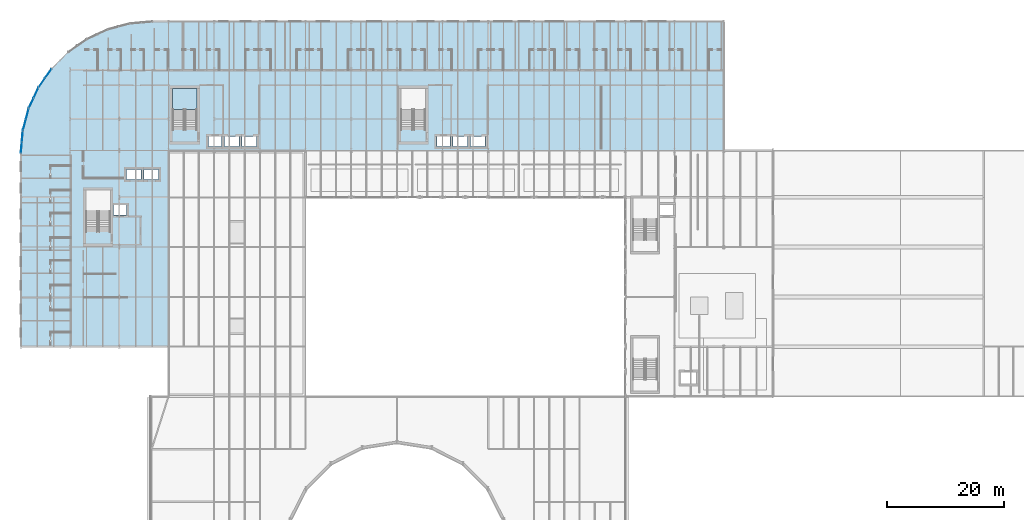
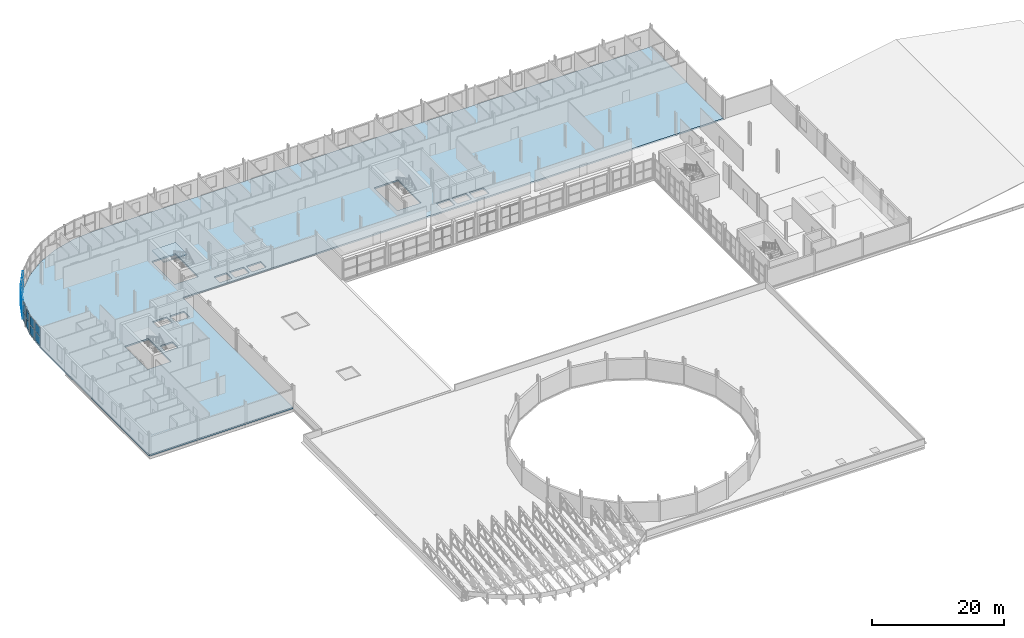
# One storey, part 32 of 58: 16 plates, 2 slabs, 5 elements without a shape of their own.
"""IFC4 building model written with IfcOpenShell, lengths in metres."""

from ifc_helpers import new_model, si_unit, direction, frame, origin, origin_2d, place, context, subcontext, project, spatial, polyline, rectangle, outline, extrude, material, layer, layer_set, type_object, element, aggregate, save


model = new_model("IFC4")

# Units and contexts
model_context = context("Model", 3, precision=1e-05, world=origin(), true_north=direction((0.0, 1.0)))
body_context = subcontext(model_context, "Body", "Model", "MODEL_VIEW")
ifc_project = project(units=[si_unit("LENGTHUNIT", "METRE"), si_unit("AREAUNIT", "SQUARE_METRE"), si_unit("VOLUMEUNIT", "CUBIC_METRE"), si_unit("PLANEANGLEUNIT", "RADIAN"), si_unit("MASSUNIT", "GRAM", prefix="KILO")], contexts=[model_context])

# Site, building, storey
site_placement = place(None, origin())
site = spatial("IfcSite", under=ifc_project, at=site_placement, CompositionType="ELEMENT")
building_placement = place(site_placement, origin())
building = spatial("IfcBuilding", under=site, at=building_placement, Name="Sefraquen Railside Congress Hotel", CompositionType="ELEMENT")
storey_placement = place(building_placement, frame((0.0, 0.0, 16.199951171875)))
storey = spatial("IfcBuildingStorey", under=building, at=storey_placement, Name="L03", CompositionType="ELEMENT", Elevation=16.199951171875)

# Curtain wall, plates
ifc_material_1 = material(Name="Thermally broken anodised aluminium and low-E double glazing", Category="aluminium")
ifc_layer_1 = layer(ifc_material_1, 0.199951171875)
ifc_layer_set_1 = layer_set([ifc_layer_1], Name="Thermally broken anodised aluminium and low-E double glazing")
curtain_wall_type_1 = type_object("IfcCurtainWallType", Name="TCW-UCW-01", PredefinedType="USERDEFINED", material=ifc_layer_set_1)
curtain_wall_1_placement = place(storey_placement, origin())
curtain_wall_1 = element("IfcCurtainWall", 1, at=curtain_wall_1_placement, inside=storey, type_object=curtain_wall_type_1, Name="Rotunda L03 curved curtain wall facet 6", ObjectType="UNITISED CURTAIN WALL", PredefinedType="USERDEFINED")
ifc_material_2 = material(Name="Solar-control low-E double glazing", Category="glass")
ifc_layer_2 = layer(ifc_material_2, 0.02392578125)
ifc_layer_set_2 = layer_set([ifc_layer_2], Name="Solar-control low-E double glazing")
plate_type_1 = type_object("IfcPlateType", Name="TP-CWP-01", PredefinedType="CURTAIN_PANEL", material=ifc_layer_set_2)
plate_1_placement = place(storey_placement, frame((4.690185546875, 109.14306640625, 0.0400390625), z_axis=(0.0, 0.0, 1.0), x_axis=(-0.573605029802, -0.819132022195, 0.0)))
plate_1 = element("IfcPlate", 2, at=plate_1_placement, type_object=plate_type_1, Name="CW-L03-ROT-06 panel 1.1", PredefinedType="CURTAIN_PANEL", context=body_context, shape_type="SweptSolid", body=[
    extrude(rectangle(XDim=1.8310546875, YDim=0.02392578125, at=origin_2d()), origin(), (0.0, 0.0, 1.0), 1.655029296875),
])
plate_2_placement = place(storey_placement, frame((3.58837890625, 107.569580078125, 0.0400390625), z_axis=(0.0, 0.0, 1.0), x_axis=(-0.573605029802, -0.819132022195, 0.0)))
plate_2 = element("IfcPlate", 3, at=plate_2_placement, type_object=plate_type_1, Name="CW-L03-ROT-06 panel 1.2", PredefinedType="CURTAIN_PANEL", context=body_context, shape_type="SweptSolid", body=[
    extrude(rectangle(XDim=1.8310546875, YDim=0.02392578125, at=origin_2d()), origin(), (0.0, 0.0, 1.0), 1.655029296875),
])

ifc_layer_3 = layer(ifc_material_1, 0.199951171875)
ifc_layer_set_3 = layer_set([ifc_layer_3], Name="Thermally broken anodised aluminium and low-E double glazing")
curtain_wall_type_2 = type_object("IfcCurtainWallType", Name="TCW-UCW-02", PredefinedType="USERDEFINED", material=ifc_layer_set_3)
curtain_wall_2_placement = place(storey_placement, origin())
curtain_wall_2 = element("IfcCurtainWall", 4, at=curtain_wall_2_placement, inside=storey, type_object=curtain_wall_type_2, Name="Rotunda L03 curved curtain wall facet 7", ObjectType="UNITISED CURTAIN WALL", PredefinedType="USERDEFINED")
plate_3_placement = place(storey_placement, frame((2.591552734375, 105.84326171875, 0.0400390625), z_axis=(0.0, 0.0, 1.0), x_axis=(-0.422634079731, -0.906300410818, 0.0)))
plate_3 = element("IfcPlate", 5, at=plate_3_placement, type_object=plate_type_1, Name="CW-L03-ROT-07 panel 1.1", PredefinedType="CURTAIN_PANEL", context=body_context, shape_type="SweptSolid", body=[
    extrude(rectangle(XDim=1.830810546875, YDim=0.02392578125, at=origin_2d()), origin(), (0.0, 0.0, 1.0), 1.655029296875),
])
plate_4_placement = place(storey_placement, frame((1.77978515625, 104.102294921875, 0.0400390625), z_axis=(0.0, 0.0, 1.0), x_axis=(-0.422634079731, -0.906300410818, 0.0)))
plate_4 = element("IfcPlate", 6, at=plate_4_placement, type_object=plate_type_1, Name="CW-L03-ROT-07 panel 1.2", PredefinedType="CURTAIN_PANEL", context=body_context, shape_type="SweptSolid", body=[
    extrude(rectangle(XDim=1.830810546875, YDim=0.02392578125, at=origin_2d()), origin(), (0.0, 0.0, 1.0), 1.655029296875),
])

ifc_layer_4 = layer(ifc_material_1, 0.199951171875)
ifc_layer_set_4 = layer_set([ifc_layer_4], Name="Thermally broken anodised aluminium and low-E double glazing")
curtain_wall_type_3 = type_object("IfcCurtainWallType", Name="TCW-UCW-03", PredefinedType="USERDEFINED", material=ifc_layer_set_4)
curtain_wall_3_placement = place(storey_placement, origin())
curtain_wall_3 = element("IfcCurtainWall", 7, at=curtain_wall_3_placement, inside=storey, type_object=curtain_wall_type_3, Name="Rotunda L03 curved curtain wall facet 8", ObjectType="UNITISED CURTAIN WALL", PredefinedType="USERDEFINED")
plate_5_placement = place(storey_placement, frame((1.097900390625, 102.22900390625, 0.0400390625), z_axis=(0.0, 0.0, 1.0), x_axis=(-0.258785327773, -0.96593486019, 0.0)))
plate_5 = element("IfcPlate", 8, at=plate_5_placement, type_object=plate_type_1, Name="CW-L03-ROT-08 panel 1.1", PredefinedType="CURTAIN_PANEL", context=body_context, shape_type="SweptSolid", body=[
    extrude(rectangle(XDim=1.8310546875, YDim=0.02392578125, at=origin_2d()), origin(), (0.0, 0.0, 1.0), 1.655029296875),
])
plate_6_placement = place(storey_placement, frame((0.6005859375, 100.37353515625, 0.0400390625), z_axis=(0.0, 0.0, 1.0), x_axis=(-0.258785327773, -0.96593486019, 0.0)))
plate_6 = element("IfcPlate", 9, at=plate_6_placement, type_object=plate_type_1, Name="CW-L03-ROT-08 panel 1.2", PredefinedType="CURTAIN_PANEL", context=body_context, shape_type="SweptSolid", body=[
    extrude(rectangle(XDim=1.8310546875, YDim=0.02392578125, at=origin_2d()), origin(), (0.0, 0.0, 1.0), 1.655029296875),
])

ifc_layer_5 = layer(ifc_material_1, 0.199951171875)
ifc_layer_set_5 = layer_set([ifc_layer_5], Name="Thermally broken anodised aluminium and low-E double glazing")
curtain_wall_type_4 = type_object("IfcCurtainWallType", Name="TCW-UCW-04", PredefinedType="USERDEFINED", material=ifc_layer_set_5)
curtain_wall_4_placement = place(storey_placement, origin())
curtain_wall_4 = element("IfcCurtainWall", 10, at=curtain_wall_4_placement, inside=storey, type_object=curtain_wall_type_4, Name="Rotunda L03 curved curtain wall facet 9", ObjectType="UNITISED CURTAIN WALL", PredefinedType="USERDEFINED")
plate_7_placement = place(storey_placement, frame((0.254638671875, 98.410400390625, 0.0400390625), z_axis=(0.0, 0.0, 1.0), x_axis=(-0.087138355857, -0.996196219095, 0.0)))
plate_7 = element("IfcPlate", 11, at=plate_7_placement, type_object=plate_type_1, Name="CW-L03-ROT-09 panel 1.1", PredefinedType="CURTAIN_PANEL", context=body_context, shape_type="SweptSolid", body=[
    extrude(rectangle(XDim=1.8310546875, YDim=0.02392578125, at=origin_2d()), origin(), (0.0, 0.0, 1.0), 1.655029296875),
])
plate_8_placement = place(storey_placement, frame((0.087158203125, 96.49658203125, 0.0400390625), z_axis=(0.0, 0.0, 1.0), x_axis=(-0.087138355857, -0.996196219095, 0.0)))
plate_8 = element("IfcPlate", 12, at=plate_8_placement, type_object=plate_type_1, Name="CW-L03-ROT-09 panel 1.2", PredefinedType="CURTAIN_PANEL", context=body_context, shape_type="SweptSolid", body=[
    extrude(rectangle(XDim=1.8310546875, YDim=0.02392578125, at=origin_2d()), origin(), (0.0, 0.0, 1.0), 1.655029296875),
])

# Plate
ifc_material_3 = material(Name="Triple acoustic solar-control glazing", Category="glass")
ifc_layer_6 = layer(ifc_material_3, 0.031982421875)
ifc_layer_set_6 = layer_set([ifc_layer_6], Name="Triple acoustic solar-control glazing")
plate_type_2 = type_object("IfcPlateType", Name="TP-CWP-02", PredefinedType="CURTAIN_PANEL", material=ifc_layer_set_6)
plate_9_placement = place(storey_placement, frame((4.690185546875, 109.14306640625, 1.77490234375), z_axis=(0.0, 0.0, 1.0), x_axis=(-0.573605029802, -0.819132022195, 0.0)))
plate_9 = element("IfcPlate", 13, at=plate_9_placement, type_object=plate_type_2, Name="CW-L03-ROT-06 panel 2.1", PredefinedType="CURTAIN_PANEL", context=body_context, shape_type="SweptSolid", body=[
    extrude(rectangle(XDim=1.8310546875, YDim=0.031982421875, at=origin_2d()), origin(), (0.0, 0.0, 1.0), 1.655029296875),
])

plate_10_placement = place(storey_placement, frame((3.58837890625, 107.569580078125, 1.77490234375), z_axis=(0.0, 0.0, 1.0), x_axis=(-0.573605029802, -0.819132022195, 0.0)))
plate_10 = element("IfcPlate", 14, at=plate_10_placement, type_object=plate_type_2, Name="CW-L03-ROT-06 panel 2.2", PredefinedType="CURTAIN_PANEL", context=body_context, shape_type="SweptSolid", body=[
    extrude(rectangle(XDim=1.8310546875, YDim=0.031982421875, at=origin_2d()), origin(), (0.0, 0.0, 1.0), 1.655029296875),
])

aggregate(curtain_wall_1, [plate_1, plate_2, plate_9, plate_10])

plate_11_placement = place(storey_placement, frame((2.591552734375, 105.84326171875, 1.77490234375), z_axis=(0.0, 0.0, 1.0), x_axis=(-0.422634079731, -0.906300410818, 0.0)))
plate_11 = element("IfcPlate", 15, at=plate_11_placement, type_object=plate_type_2, Name="CW-L03-ROT-07 panel 2.1", PredefinedType="CURTAIN_PANEL", context=body_context, shape_type="SweptSolid", body=[
    extrude(rectangle(XDim=1.830810546875, YDim=0.031982421875, at=origin_2d()), origin(), (0.0, 0.0, 1.0), 1.655029296875),
])

plate_12_placement = place(storey_placement, frame((1.77978515625, 104.102294921875, 1.77490234375), z_axis=(0.0, 0.0, 1.0), x_axis=(-0.422634079731, -0.906300410818, 0.0)))
plate_12 = element("IfcPlate", 16, at=plate_12_placement, type_object=plate_type_2, Name="CW-L03-ROT-07 panel 2.2", PredefinedType="CURTAIN_PANEL", context=body_context, shape_type="SweptSolid", body=[
    extrude(rectangle(XDim=1.830810546875, YDim=0.031982421875, at=origin_2d()), origin(), (0.0, 0.0, 1.0), 1.655029296875),
])

aggregate(curtain_wall_2, [plate_3, plate_4, plate_11, plate_12])

plate_13_placement = place(storey_placement, frame((1.097900390625, 102.22900390625, 1.77490234375), z_axis=(0.0, 0.0, 1.0), x_axis=(-0.258785327773, -0.96593486019, 0.0)))
plate_13 = element("IfcPlate", 17, at=plate_13_placement, type_object=plate_type_2, Name="CW-L03-ROT-08 panel 2.1", PredefinedType="CURTAIN_PANEL", context=body_context, shape_type="SweptSolid", body=[
    extrude(rectangle(XDim=1.8310546875, YDim=0.031982421875, at=origin_2d()), origin(), (0.0, 0.0, 1.0), 1.655029296875),
])

plate_14_placement = place(storey_placement, frame((0.6005859375, 100.37353515625, 1.77490234375), z_axis=(0.0, 0.0, 1.0), x_axis=(-0.258785327773, -0.96593486019, 0.0)))
plate_14 = element("IfcPlate", 18, at=plate_14_placement, type_object=plate_type_2, Name="CW-L03-ROT-08 panel 2.2", PredefinedType="CURTAIN_PANEL", context=body_context, shape_type="SweptSolid", body=[
    extrude(rectangle(XDim=1.8310546875, YDim=0.031982421875, at=origin_2d()), origin(), (0.0, 0.0, 1.0), 1.655029296875),
])

aggregate(curtain_wall_3, [plate_5, plate_6, plate_13, plate_14])

plate_15_placement = place(storey_placement, frame((0.254638671875, 98.410400390625, 1.77490234375), z_axis=(0.0, 0.0, 1.0), x_axis=(-0.087138355857, -0.996196219095, 0.0)))
plate_15 = element("IfcPlate", 19, at=plate_15_placement, type_object=plate_type_2, Name="CW-L03-ROT-09 panel 2.1", PredefinedType="CURTAIN_PANEL", context=body_context, shape_type="SweptSolid", body=[
    extrude(rectangle(XDim=1.8310546875, YDim=0.031982421875, at=origin_2d()), origin(), (0.0, 0.0, 1.0), 1.655029296875),
])

plate_16_placement = place(storey_placement, frame((0.087158203125, 96.49658203125, 1.77490234375), z_axis=(0.0, 0.0, 1.0), x_axis=(-0.087138355857, -0.996196219095, 0.0)))
plate_16 = element("IfcPlate", 20, at=plate_16_placement, type_object=plate_type_2, Name="CW-L03-ROT-09 panel 2.2", PredefinedType="CURTAIN_PANEL", context=body_context, shape_type="SweptSolid", body=[
    extrude(rectangle(XDim=1.8310546875, YDim=0.031982421875, at=origin_2d()), origin(), (0.0, 0.0, 1.0), 1.655029296875),
])

aggregate(curtain_wall_4, [plate_7, plate_8, plate_15, plate_16])

# Slab
ifc_material_4 = material(Name="Concrete C40/50", Category="concrete")
ifc_layer_7 = layer(ifc_material_4, 0.280029296875)
ifc_layer_set_7 = layer_set([ifc_layer_7], Name="Concrete C40/50")
slab_type_1 = type_object("IfcSlabType", Name="TS-FS-280", PredefinedType="FLOOR", material=ifc_layer_set_7)
slab_1_placement = place(storey_placement, frame((0.0, 0.0, -0.280029296875)))
element("IfcSlab", 21, at=slab_1_placement, inside=storey, type_object=slab_type_1, Name="Hotel Wing L03 guest floor slab", PredefinedType="FLOOR", context=body_context, shape_type="SweptSolid", body=[
    extrude(outline(polyline([(0.0, 62.5), (25.199951171875, 62.5), (25.199951171875, 96.0), (120.0, 96.0), (120.0, 118.0), (22.5, 118.0), (18.593017578125, 117.658203125), (14.804443359375, 116.64306640625), (11.25, 114.985595703125), (8.037353515625, 112.736083984375), (5.263916015625, 109.962646484375), (3.014404296875, 106.75), (1.35693359375, 103.195556640625), (0.341796875, 99.406982421875), (0.0, 95.5), (0.0, 62.5)]), holes=[polyline([(11.10009765625, 82.219970703125), (15.260009765625, 82.219970703125), (15.260009765625, 89.2119140625), (11.10009765625, 89.2119140625), (11.10009765625, 82.219970703125)]), polyline([(25.89990234375, 99.6201171875), (30.06005859375, 99.6201171875), (30.06005859375, 106.612060546875), (25.89990234375, 106.612060546875), (25.89990234375, 99.6201171875)]), polyline([(64.89990234375, 99.6201171875), (69.06005859375, 99.6201171875), (69.06005859375, 106.612060546875), (64.89990234375, 106.612060546875), (64.89990234375, 99.6201171875)]), polyline([(15.830078125, 84.949951171875), (18.030029296875, 84.949951171875), (18.030029296875, 86.64990234375), (15.830078125, 86.64990234375), (15.830078125, 84.949951171875)]), polyline([(32.06005859375, 96.64990234375), (34.260009765625, 96.64990234375), (34.260009765625, 98.35009765625), (32.06005859375, 98.35009765625), (32.06005859375, 96.64990234375)]), polyline([(71.06005859375, 96.64990234375), (73.260009765625, 96.64990234375), (73.260009765625, 98.35009765625), (71.06005859375, 98.35009765625), (71.06005859375, 96.64990234375)]), polyline([(18.050048828125, 91.050048828125), (20.550048828125, 91.050048828125), (20.550048828125, 92.75), (18.050048828125, 92.75), (18.050048828125, 91.050048828125)]), polyline([(21.0400390625, 91.050048828125), (23.5400390625, 91.050048828125), (23.5400390625, 92.75), (21.0400390625, 92.75), (21.0400390625, 91.050048828125)]), polyline([(34.75, 96.64990234375), (37.25, 96.64990234375), (37.25, 98.35009765625), (34.75, 98.35009765625), (34.75, 96.64990234375)]), polyline([(37.739990234375, 96.64990234375), (40.239990234375, 96.64990234375), (40.239990234375, 98.35009765625), (37.739990234375, 98.35009765625), (37.739990234375, 96.64990234375)]), polyline([(73.75, 96.64990234375), (76.25, 96.64990234375), (76.25, 98.35009765625), (73.75, 98.35009765625), (73.75, 96.64990234375)]), polyline([(76.739990234375, 96.64990234375), (79.239990234375, 96.64990234375), (79.239990234375, 98.35009765625), (76.739990234375, 98.35009765625), (76.739990234375, 96.64990234375)])]), origin(), (0.0, 0.0, 1.0), 0.280029296875),
])

# Stair, slab
stair_type = type_object("IfcStairType", Name="TST-DOG-198-420", PredefinedType="HALF_TURN_STAIR", material=ifc_material_4)
stair_placement = place(storey_placement, origin())
stair = element("IfcStair", 22, at=stair_placement, inside=storey, type_object=stair_type, Name="L03 Pressurized escape stair ST-H02", PredefinedType="HALF_TURN_STAIR")
ifc_layer_8 = layer(ifc_material_4, 0.199951171875)
ifc_layer_set_8 = layer_set([ifc_layer_8], Name="Concrete C40/50")
slab_type_2 = type_object("IfcSlabType", Name="TS-LD-200", PredefinedType="LANDING", material=ifc_layer_set_8)
slab_2_placement = place(storey_placement, frame((0.0, 0.0, 1.900146484375)))
slab_2 = element("IfcSlab", 23, at=slab_2_placement, type_object=slab_type_2, Name="ST-H02 landing 1", PredefinedType="LANDING", context=body_context, shape_type="SweptSolid", body=[
    extrude(outline(polyline([(30.06005859375, 103.02197265625), (30.06005859375, 106.612060546875), (25.89990234375, 106.612060546875), (25.89990234375, 103.02197265625), (30.06005859375, 103.02197265625)])), origin(), (0.0, 0.0, 1.0), 0.199951171875),
])
aggregate(stair, [slab_2])

save(model, "model.ifc")
